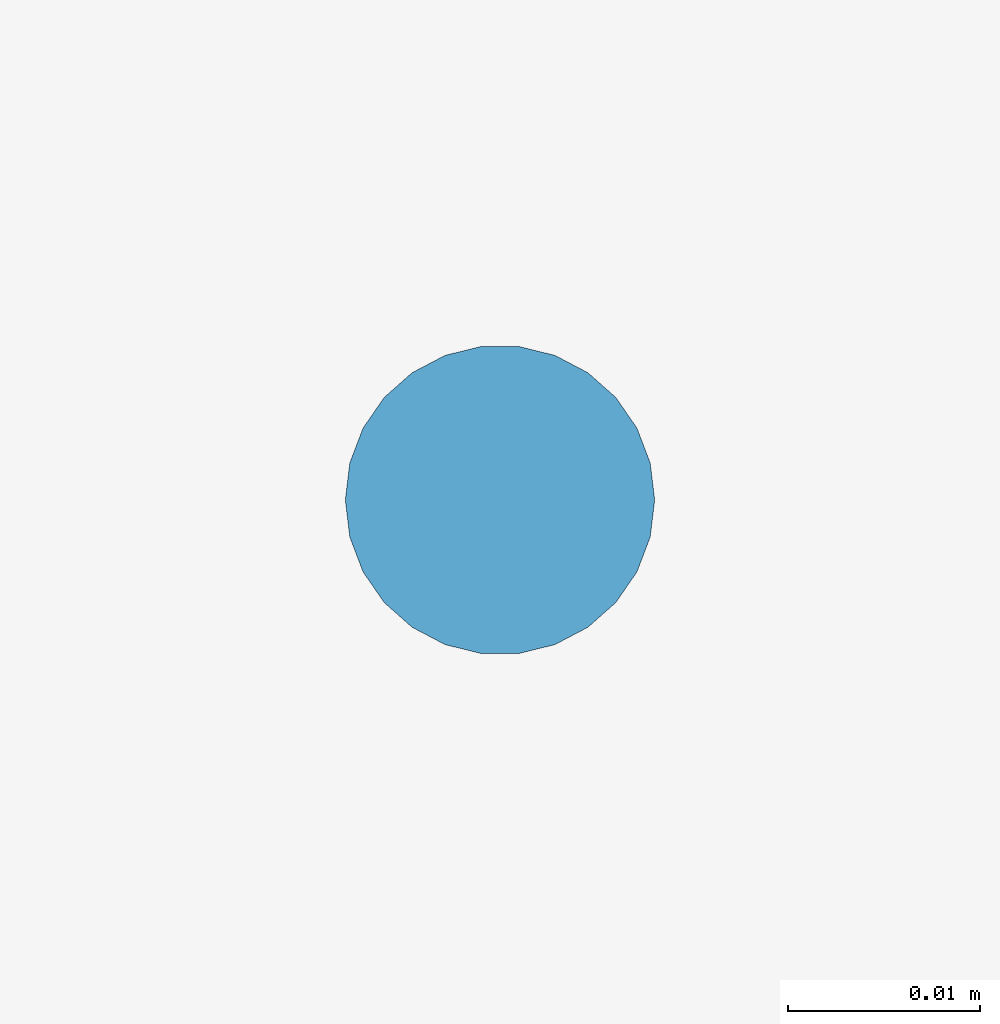
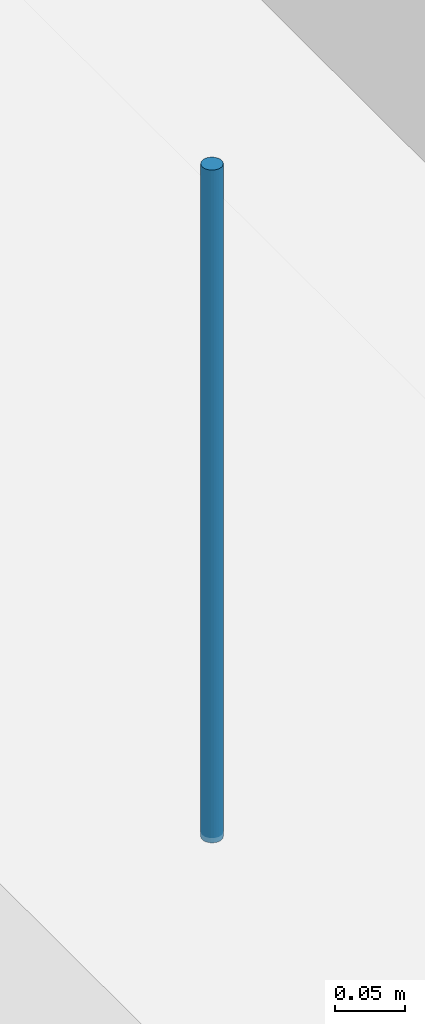
# One storey, part 69 of 75: 1 discrete accessory.
"""IFC4 building model written with IfcOpenShell, lengths in metres."""

from ifc_helpers import new_model, si_unit, direction, frame, origin, origin_2d, place, context, subcontext, project, spatial, circle, extrude, material, type_object, element, save


model = new_model("IFC4")

# Units and contexts
model_context = context("Model", 3, precision=1e-05, world=origin(), true_north=direction((0.0, 1.0)))
body_context = subcontext(model_context, "Body", "Model", "MODEL_VIEW")
ifc_project = project(units=[si_unit("LENGTHUNIT", "METRE"), si_unit("AREAUNIT", "SQUARE_METRE"), si_unit("VOLUMEUNIT", "CUBIC_METRE"), si_unit("PLANEANGLEUNIT", "RADIAN"), si_unit("MASSUNIT", "GRAM", prefix="KILO")], contexts=[model_context])

# Site, building, storey
site_placement = place(None, origin())
site = spatial("IfcSite", under=ifc_project, at=site_placement, CompositionType="ELEMENT")
building_placement = place(site_placement, origin())
building = spatial("IfcBuilding", under=site, at=building_placement, Name="Yukiwa Park Conservatory and Herbarium", CompositionType="ELEMENT")
storey_placement = place(building_placement, frame((0.0, 0.0, 4.800048828125)))
storey = spatial("IfcBuildingStorey", under=building, at=storey_placement, Name="L01", CompositionType="ELEMENT", Elevation=4.800048828125)

# Discrete accessory
ifc_material = material(Name="Steel Q235B", Category="steel")
discrete_accessory_type = type_object("IfcDiscreteAccessoryType", Name="ACC-CEILING-HANGER", PredefinedType="BRACKET", material=ifc_material)
discrete_accessory_placement = place(storey_placement, frame((73.60009765625, 55.89990234375, 3.375), z_axis=(0.0, 0.0, 1.0), x_axis=(1.0, 0.0, 0.0)))
element("IfcDiscreteAccessory", 1, at=discrete_accessory_placement, inside=storey, type_object=discrete_accessory_type, Name="Ceiling suspension hanger rod 14", PredefinedType="BRACKET", context=body_context, shape_type="SweptSolid", body=[
    extrude(circle(Radius=0.008056640625, at=origin_2d()), origin(), (0.0, 0.0, 1.0), 0.5849609375),
])

save(model, "model.ifc")
